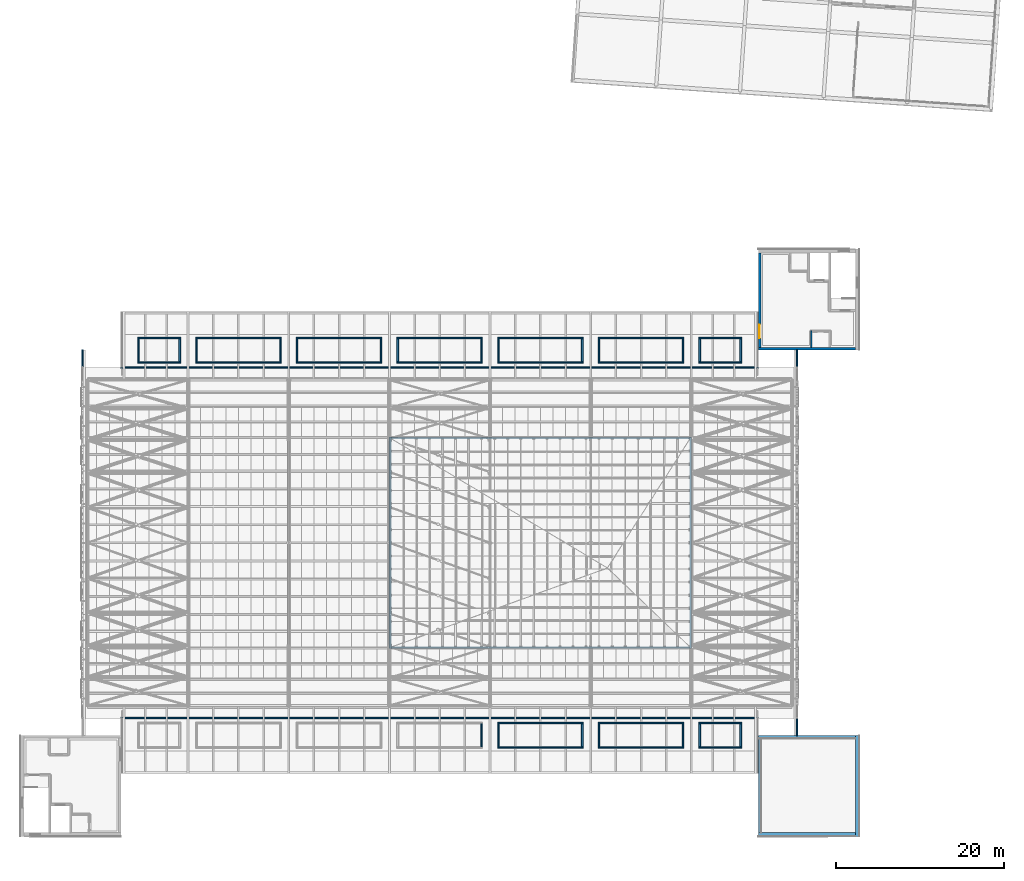
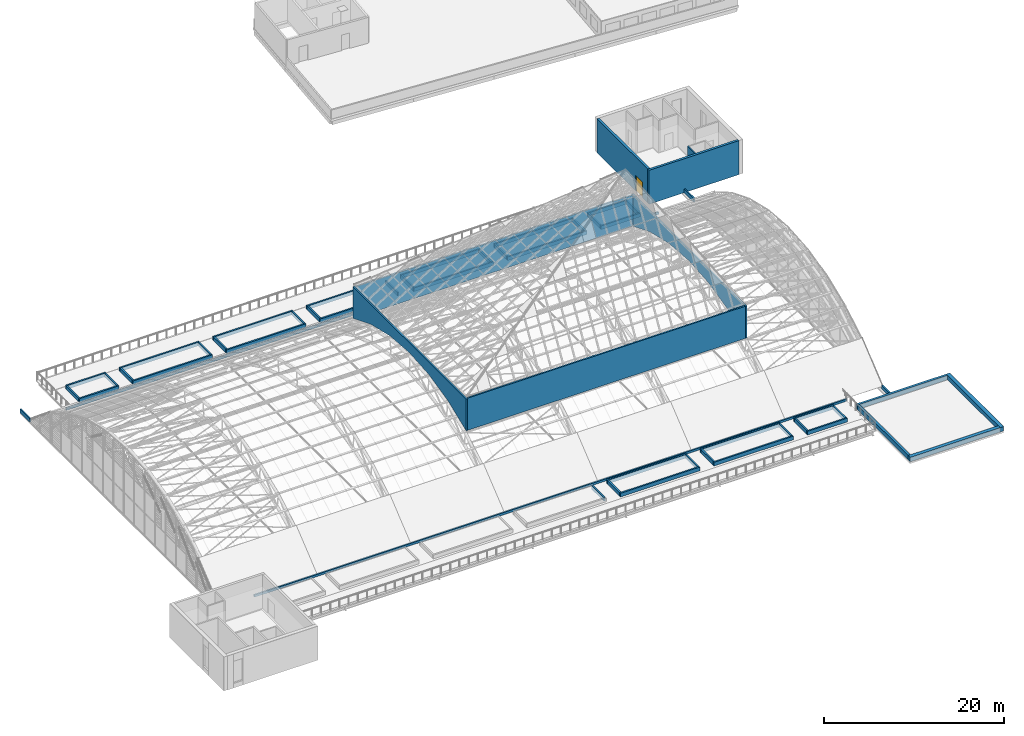
# One storey, part 82 of 110: 57 walls, 1 door, 1 opening.
"""IFC4 building model written with IfcOpenShell, lengths in metres."""

import ifcopenshell
import ifcopenshell.guid

model = None  # the IFC model being written
_history = None  # IfcOwnerHistory: only IFC2X3 demands one
_inside = {}  # id of a spatial element -> (the spatial element, [elements in it])
_under = {}  # id of a project, library or spatial element -> (it, [spatial elements below it])
_declared = {}  # id of a project -> (the project, [libraries it declares])
_typed = {}  # id of a type object -> (the type object, [elements of that type])
_made_of = {}  # id of a material, layer set ... -> (it, [elements and type objects made of it])


def new_model(schema):
    """Start an empty IFC model of exactly this schema.

    Asked for "IFC4X3", IfcOpenShell would pick the latest addendum, in which some entities
    have other attributes; the version numbers below select the first issue.
    IFC2X3 requires an IfcOwnerHistory on every rooted entity: one is made here for all.
    """
    global model, _history
    if schema == "IFC4X3":
        model = ifcopenshell.file(schema_version=(4, 3, 0, 0))
    else:
        model = ifcopenshell.file(schema=schema)
    _inside.clear()
    _under.clear()
    _declared.clear()
    _typed.clear()
    _made_of.clear()
    _history = None
    if model.schema == "IFC2X3":
        org = make("IfcOrganization", Name="unknown")
        user = make(
            "IfcPersonAndOrganization",
            ThePerson=make("IfcPerson", FamilyName="unknown"),
            TheOrganization=org,
        )
        app = make(
            "IfcApplication",
            ApplicationDeveloper=org,
            Version="unknown",
            ApplicationFullName="unknown",
            ApplicationIdentifier="unknown",
        )
        _history = make(
            "IfcOwnerHistory",
            OwningUser=user,
            OwningApplication=app,
            ChangeAction="ADDED",
            CreationDate=0,
        )
    return model


def make(cls, **values):
    """One entity of the class cls with the attributes given. An attribute that is None is left unset."""
    return model.create_entity(
        cls, **{name: value for name, value in values.items() if value is not None}
    )


def rooted(cls, **values):
    """An entity with a GlobalId (a new one), such as an element, a storey or a relation."""
    return make(cls, GlobalId=ifcopenshell.guid.new(), OwnerHistory=_history, **values)


def si_unit(unit_type, name, prefix=None):
    """IfcSIUnit, for example si_unit("LENGTHUNIT", "METRE", prefix="MILLI")."""
    return make("IfcSIUnit", UnitType=unit_type, Prefix=prefix, Name=name)


def assignment(units):
    """IfcUnitAssignment: the units of a project."""
    return None if units is None else make("IfcUnitAssignment", Units=units)


def point(xyz):
    """IfcCartesianPoint."""
    return None if xyz is None else make("IfcCartesianPoint", Coordinates=xyz)


def direction(xyz):
    """IfcDirection."""
    return None if xyz is None else make("IfcDirection", DirectionRatios=xyz)


def frame(location, z_axis=None, x_axis=None):
    """IfcAxis2Placement3D, a coordinate frame: its origin and axes. An axis left out is left unset."""
    return make(
        "IfcAxis2Placement3D",
        Location=point(location),
        Axis=direction(z_axis),
        RefDirection=direction(x_axis),
    )


def frame_2d(location, x_axis=None):
    """IfcAxis2Placement2D, a coordinate frame in the plane: its origin and x axis."""
    return make(
        "IfcAxis2Placement2D", Location=point(location), RefDirection=direction(x_axis)
    )


def origin():
    """The frame at (0, 0, 0) with its axes left unset."""
    return frame((0.0, 0.0, 0.0))


def place(relative_to, where):
    """IfcLocalPlacement: puts the frame where relative to a parent placement (None: the world)."""
    return make(
        "IfcLocalPlacement", PlacementRelTo=relative_to, RelativePlacement=where
    )


def context(
    kind, dimensions, precision=None, world=None, true_north=None, identifier=None
):
    """IfcGeometricRepresentationContext, for example the 3D "Model" context."""
    return make(
        "IfcGeometricRepresentationContext",
        ContextIdentifier=identifier,
        ContextType=kind,
        CoordinateSpaceDimension=dimensions,
        Precision=precision,
        WorldCoordinateSystem=world,
        TrueNorth=true_north,
    )


def subcontext(parent, identifier, kind, view, scale=None):
    """IfcGeometricRepresentationSubContext, for example "Body" below "Model"."""
    return make(
        "IfcGeometricRepresentationSubContext",
        ContextIdentifier=identifier,
        ContextType=kind,
        ParentContext=parent,
        TargetScale=scale,
        TargetView=view,
    )


def project(units=None, contexts=None):
    """IfcProject with its units and contexts."""
    return rooted(
        "IfcProject",
        Name="project",
        RepresentationContexts=contexts,
        UnitsInContext=assignment(units),
    )


def spatial(cls, under=None, at=None, **own):
    """A site, building, storey or space (cls), placed at a placement, below another one or the project."""
    s = rooted(cls, ObjectPlacement=at, **own)
    if under is not None:
        _under.setdefault(under.id(), (under, []))[1].append(s)
    return s


def polyline(points):
    """IfcPolyline through the points."""
    return make("IfcPolyline", Points=[point(p) for p in points])


def profile(cls, at=None, kind="AREA", **sizes):
    """A parametric profile (cls). Its sizes go by their IFC names, for example OverallWidth=200.0."""
    return make(cls, ProfileType=kind, Position=at, **sizes)


def rectangle(**sizes):
    """IfcRectangleProfileDef."""
    return profile("IfcRectangleProfileDef", **sizes)


def outline(outer, holes=None, kind="AREA"):
    """IfcArbitraryClosedProfileDef: a profile drawn as a closed curve; with holes, ...WithVoids."""
    if holes is None:
        return make("IfcArbitraryClosedProfileDef", ProfileType=kind, OuterCurve=outer)
    return make(
        "IfcArbitraryProfileDefWithVoids",
        ProfileType=kind,
        OuterCurve=outer,
        InnerCurves=holes,
    )


def extrude(swept, where, along, depth):
    """IfcExtrudedAreaSolid: the profile swept, set in the frame where, extruded along a direction by depth."""
    return make(
        "IfcExtrudedAreaSolid",
        SweptArea=swept,
        Position=where,
        ExtrudedDirection=direction(along),
        Depth=depth,
    )


def shape(context_of_items, identifier, shape_type, items):
    """IfcShapeRepresentation: the items that make up one representation, for example the "Body"."""
    return make(
        "IfcShapeRepresentation",
        ContextOfItems=context_of_items,
        RepresentationIdentifier=identifier,
        RepresentationType=shape_type,
        Items=items,
    )


def material(Name=None, Category=None):
    """IfcMaterial."""
    return make("IfcMaterial", Name=Name, Category=Category)


def layer(
    of_material, thickness, ventilated=None, Name=None, Category=None, Priority=None
):
    """IfcMaterialLayer: one layer of a wall or slab, of a material (None: an air gap)."""
    return make(
        "IfcMaterialLayer",
        Material=of_material,
        LayerThickness=thickness,
        IsVentilated=ventilated,
        Name=Name,
        Category=Category,
        Priority=Priority,
    )


def layer_set(layers, Name=None):
    """IfcMaterialLayerSet."""
    return make("IfcMaterialLayerSet", MaterialLayers=layers, LayerSetName=Name)


def made_of(thing, what):
    """Note that an element or type object is made of a material, layer set ...; save() writes the relation."""
    if what is not None:
        _made_of.setdefault(what.id(), (what, []))[1].append(thing)
    return thing


def type_object(cls, material=None, **own):
    """A type object (cls), such as IfcWallType, which elements share."""
    return made_of(rooted(cls, **own), material)


def element(
    cls,
    number,
    at=None,
    inside=None,
    cuts=None,
    type_object=None,
    material=None,
    context=None,
    identifier="Body",
    shape_type=None,
    held_by="IfcProductDefinitionShape",
    body=None,
    shapes=None,
    **own,
):
    """One element of the class cls, such as IfcWall. Its Tag is "e" and its number.

    at: its placement. inside: the storey or other place that contains it. cuts: it is an
    opening in that element (IfcRelVoidsElement). A single representation is given by context,
    identifier, shape_type and body (its items); several are given by shapes. held_by: the class
    of the entity that holds the representations. save() writes the other relations.
    """
    e = rooted(cls, Tag="e%d" % number, ObjectPlacement=at, **own)
    if body is not None:
        shapes = [shape(context, identifier, shape_type, body)]
    if shapes is not None:
        e.Representation = make(held_by, Representations=shapes)
    if inside is not None:
        _inside.setdefault(inside.id(), (inside, []))[1].append(e)
    if cuts is not None:
        rooted(
            "IfcRelVoidsElement", RelatingBuildingElement=cuts, RelatedOpeningElement=e
        )
    if type_object is not None:
        _typed.setdefault(type_object.id(), (type_object, []))[1].append(e)
    return made_of(e, material)


def fill(opening, filler):
    """IfcRelFillsElement: the door or window that sits in an opening."""
    return rooted(
        "IfcRelFillsElement",
        RelatingOpeningElement=opening,
        RelatedBuildingElement=filler,
    )


def aggregate(whole, parts):
    """IfcRelAggregates: a whole, such as a stair, and the parts it consists of."""
    return rooted("IfcRelAggregates", RelatingObject=whole, RelatedObjects=parts)


def save(model, path):
    """Write the relations noted so far, then the file.

    IfcRelAggregates (storeys below a building ...), IfcRelContainedInSpatialStructure (elements
    in a storey), IfcRelDefinesByType, IfcRelAssociatesMaterial and IfcRelDeclares: one each for
    every whole, place, type object, material and project.
    """
    for whole, parts in _under.values():
        aggregate(whole, parts)
    for where, things in _inside.values():
        rooted(
            "IfcRelContainedInSpatialStructure",
            RelatedElements=things,
            RelatingStructure=where,
        )
    for kind, things in _typed.values():
        rooted("IfcRelDefinesByType", RelatedObjects=things, RelatingType=kind)
    for what, things in _made_of.values():
        rooted("IfcRelAssociatesMaterial", RelatedObjects=things, RelatingMaterial=what)
    for by, libraries in _declared.values():
        rooted("IfcRelDeclares", RelatingContext=by, RelatedDefinitions=libraries)
    model.write(path)


model = new_model("IFC4")

# Units and contexts
model_context = context("Model", 3, precision=1e-05, world=origin(), true_north=direction((0.0, 1.0)))
body_context = subcontext(model_context, "Body", "Model", "MODEL_VIEW")
ifc_project = project(units=[si_unit("LENGTHUNIT", "METRE"), si_unit("AREAUNIT", "SQUARE_METRE"), si_unit("VOLUMEUNIT", "CUBIC_METRE"), si_unit("PLANEANGLEUNIT", "RADIAN"), si_unit("MASSUNIT", "GRAM", prefix="KILO")], contexts=[model_context])

# Site, building, storey
site_placement = place(None, origin())
site = spatial("IfcSite", under=ifc_project, at=site_placement, CompositionType="ELEMENT")
building_placement = place(site_placement, origin())
building = spatial("IfcBuilding", under=site, at=building_placement, Name="Windward Yard Aquatics Centre", CompositionType="ELEMENT")
storey_placement = place(building_placement, frame((0.0, 0.0, 22.60009765625)))
storey = spatial("IfcBuildingStorey", under=building, at=storey_placement, Name="L05", CompositionType="ELEMENT", Elevation=22.60009765625)

# Walls
ifc_material_1 = material(Name="Blockwork 150 mm", Category="masonry")
ifc_layer_1 = layer(ifc_material_1, 0.14990234375)
ifc_layer_set_1 = layer_set([ifc_layer_1], Name="H Partition Blockwork 150")
wall_type_1 = type_object("IfcWallType", Name="H Partition Blockwork 150", PredefinedType="PARTITIONING", material=ifc_layer_set_1)
wall_1_placement = place(storey_placement, frame((146.300048828125, 86.27490234375, 0.0), z_axis=(0.0, 0.0, 1.0), x_axis=(0.0, -1.0, 0.0)))
element("IfcWall", 1, at=wall_1_placement, inside=storey, type_object=wall_type_1, Name="L05 R2E riser wall NE", PredefinedType="PARTITIONING", context=body_context, shape_type="SweptSolid", body=[
    extrude(rectangle(XDim=1.974853515625, YDim=0.14990234375, at=frame_2d((0.9873046875, 0.0))), origin(), (0.0, 0.0, 1.0), 4.349853515625),
])
ifc_material_2 = material(Name="Concrete C35/45", Category="concrete")
ifc_layer_2 = layer(ifc_material_2, 0.300048828125)
ifc_layer_set_2 = layer_set([ifc_layer_2], Name="H core parapet 300 C35/45")
wall_type_2 = type_object("IfcWallType", Name="H core parapet 300 C35/45", PredefinedType="PARAPET", material=ifc_layer_set_2)
wall_2_placement = place(storey_placement, frame((151.77490234375, 26.0, 0.25), z_axis=(0.0, 0.0, 1.0), x_axis=(0.0, 1.0, 0.0)))
element("IfcWall", 2, at=wall_2_placement, inside=storey, type_object=wall_type_2, Name="H.CP.SE.E", PredefinedType="PARAPET", context=body_context, shape_type="SweptSolid", body=[
    extrude(rectangle(XDim=12.0, YDim=0.449951171875, at=frame_2d((6.0, 0.0))), origin(), (0.0, 0.0, 1.0), 0.599853515625),
])
wall_3_placement = place(storey_placement, frame((151.550048828125, 26.22509765625, 0.25), z_axis=(0.0, 0.0, 1.0), x_axis=(-1.0, 0.0, 0.0)))
element("IfcWall", 3, at=wall_3_placement, inside=storey, type_object=wall_type_2, Name="H.CP.SE.S", PredefinedType="PARAPET", context=body_context, shape_type="SweptSolid", body=[
    extrude(rectangle(XDim=11.550048828125, YDim=0.449951171875, at=frame_2d((5.77490234375, 0.0))), origin(), (0.0, 0.0, 1.0), 0.599853515625),
])
wall_4_placement = place(storey_placement, frame((140.14990234375, 26.449951171875, 0.25), z_axis=(0.0, 0.0, 1.0), x_axis=(0.0, 1.0, 0.0)))
element("IfcWall", 4, at=wall_4_placement, inside=storey, type_object=wall_type_2, Name="H.CP.SE.W", PredefinedType="PARAPET", context=body_context, shape_type="SweptSolid", body=[
    extrude(rectangle(XDim=11.25, YDim=0.300048828125, at=frame_2d((5.625, 0.0))), origin(), (0.0, 0.0, 1.0), 0.599853515625),
])
wall_5_placement = place(storey_placement, frame((151.550048828125, 37.85009765625, 0.25), z_axis=(0.0, 0.0, 1.0), x_axis=(-1.0, 0.0, 0.0)))
element("IfcWall", 5, at=wall_5_placement, inside=storey, type_object=wall_type_2, Name="H.CP.SE.N", PredefinedType="PARAPET", context=body_context, shape_type="SweptSolid", body=[
    extrude(rectangle(XDim=11.550048828125, YDim=0.300048828125, at=frame_2d((5.77490234375, 0.0))), origin(), (0.0, 0.0, 1.0), 0.599853515625),
])
ifc_layer_3 = layer(ifc_material_2, 0.179931640625)
ifc_layer_set_3 = layer_set([ifc_layer_3], Name="H gable parapet wall 180 C35/45")
wall_type_3 = type_object("IfcWallType", Name="H gable parapet wall 180 C35/45", PredefinedType="PARAPET", material=ifc_layer_set_3)
for number, where, z_axis, x_axis, name in (
    (6, (59.409912109375, 81.873046875, 0.0), (0.0, 0.0, 1.0), (0.0, 1.0, 0.0), "Gable parapet WB"),
    (7, (144.590087890625, 38.0, 0.0), (0.0, 0.0, 1.0), (0.0, 1.0, 0.0), "Gable parapet EA"),
    (8, (144.590087890625, 81.873046875, 0.0), (0.0, 0.0, 1.0), (0.0, 1.0, 0.0), "Gable parapet EB"),
):
    element("IfcWall", number, at=place(storey_placement, frame(where, z_axis=z_axis, x_axis=x_axis)), inside=storey, type_object=wall_type_3, Name=name, PredefinedType="PARAPET", context=body_context, shape_type="SweptSolid", body=[
        extrude(rectangle(XDim=2.126953125, YDim=0.179931640625, at=frame_2d((1.0634765625, 0.0))), origin(), (0.0, 0.0, 1.0), 0.5),
    ])
ifc_layer_4 = layer(ifc_material_2, 0.199951171875)
ifc_layer_set_4 = layer_set([ifc_layer_4], Name="H planter kerb wall 200 C35/45")
wall_type_4 = type_object("IfcWallType", Name="H planter kerb wall 200 C35/45", PredefinedType="PARAPET", material=ifc_layer_set_4)
wall_6_placement = place(storey_placement, frame((107.0, 36.699951171875, 0.0), z_axis=(0.0, 0.0, 1.0), x_axis=(0.0, 1.0, 0.0)))
element("IfcWall", 9, at=wall_6_placement, inside=storey, type_object=wall_type_4, Name="Planting bed T2 S4 kerb E", PredefinedType="PARAPET", context=body_context, shape_type="SweptSolid", body=[
    extrude(rectangle(XDim=2.699951171875, YDim=0.199951171875, at=frame_2d((1.35009765625, 0.0))), origin(), (0.0, 0.0, 1.0), 0.5),
])
for number, where, z_axis, x_axis, name in (
    (10, (108.89990234375, 36.60009765625, 0.0), (0.0, 0.0, 1.0), (1.0, 0.0, 0.0), "Planting bed T2 S5 kerb S"),
    (11, (108.89990234375, 39.5, 0.0), (0.0, 0.0, 1.0), (1.0, 0.0, 0.0), "Planting bed T2 S5 kerb N"),
):
    element("IfcWall", number, at=place(storey_placement, frame(where, z_axis=z_axis, x_axis=x_axis)), inside=storey, type_object=wall_type_4, Name=name, PredefinedType="PARAPET", context=body_context, shape_type="SweptSolid", body=[
        extrude(rectangle(XDim=10.2001953125, YDim=0.199951171875, at=frame_2d((5.10009765625, 0.0))), origin(), (0.0, 0.0, 1.0), 0.5),
    ])
for number, where, z_axis, x_axis, name in (
    (12, (109.0, 36.699951171875, 0.0), (0.0, 0.0, 1.0), (0.0, 1.0, 0.0), "Planting bed T2 S5 kerb W"),
    (13, (119.0, 36.699951171875, 0.0), (0.0, 0.0, 1.0), (0.0, 1.0, 0.0), "Planting bed T2 S5 kerb E"),
):
    element("IfcWall", number, at=place(storey_placement, frame(where, z_axis=z_axis, x_axis=x_axis)), inside=storey, type_object=wall_type_4, Name=name, PredefinedType="PARAPET", context=body_context, shape_type="SweptSolid", body=[
        extrude(rectangle(XDim=2.699951171875, YDim=0.199951171875, at=frame_2d((1.35009765625, 0.0))), origin(), (0.0, 0.0, 1.0), 0.5),
    ])
for number, where, z_axis, x_axis, name in (
    (14, (120.89990234375, 36.60009765625, 0.0), (0.0, 0.0, 1.0), (1.0, 0.0, 0.0), "Planting bed T2 S6 kerb S"),
    (15, (120.89990234375, 39.5, 0.0), (0.0, 0.0, 1.0), (1.0, 0.0, 0.0), "Planting bed T2 S6 kerb N"),
):
    element("IfcWall", number, at=place(storey_placement, frame(where, z_axis=z_axis, x_axis=x_axis)), inside=storey, type_object=wall_type_4, Name=name, PredefinedType="PARAPET", context=body_context, shape_type="SweptSolid", body=[
        extrude(rectangle(XDim=10.2001953125, YDim=0.199951171875, at=frame_2d((5.10009765625, 0.0))), origin(), (0.0, 0.0, 1.0), 0.5),
    ])
for number, where, z_axis, x_axis, name in (
    (16, (121.0, 36.699951171875, 0.0), (0.0, 0.0, 1.0), (0.0, 1.0, 0.0), "Planting bed T2 S6 kerb W"),
    (17, (131.0, 36.699951171875, 0.0), (0.0, 0.0, 1.0), (0.0, 1.0, 0.0), "Planting bed T2 S6 kerb E"),
):
    element("IfcWall", number, at=place(storey_placement, frame(where, z_axis=z_axis, x_axis=x_axis)), inside=storey, type_object=wall_type_4, Name=name, PredefinedType="PARAPET", context=body_context, shape_type="SweptSolid", body=[
        extrude(rectangle(XDim=2.699951171875, YDim=0.199951171875, at=frame_2d((1.35009765625, 0.0))), origin(), (0.0, 0.0, 1.0), 0.5),
    ])
for number, where, z_axis, x_axis, name in (
    (18, (132.89990234375, 36.60009765625, 0.0), (0.0, 0.0, 1.0), (1.0, 0.0, 0.0), "Planting bed T2 S7 kerb S"),
    (19, (132.89990234375, 39.5, 0.0), (0.0, 0.0, 1.0), (1.0, 0.0, 0.0), "Planting bed T2 S7 kerb N"),
):
    element("IfcWall", number, at=place(storey_placement, frame(where, z_axis=z_axis, x_axis=x_axis)), inside=storey, type_object=wall_type_4, Name=name, PredefinedType="PARAPET", context=body_context, shape_type="SweptSolid", body=[
        extrude(rectangle(XDim=5.10009765625, YDim=0.199951171875, at=frame_2d((2.550048828125, 0.0))), origin(), (0.0, 0.0, 1.0), 0.5),
    ])
for number, where, z_axis, x_axis, name in (
    (20, (133.0, 36.699951171875, 0.0), (0.0, 0.0, 1.0), (0.0, 1.0, 0.0), "Planting bed T2 S7 kerb W"),
    (21, (137.89990234375, 36.699951171875, 0.0), (0.0, 0.0, 1.0), (0.0, 1.0, 0.0), "Planting bed T2 S7 kerb E"),
):
    element("IfcWall", number, at=place(storey_placement, frame(where, z_axis=z_axis, x_axis=x_axis)), inside=storey, type_object=wall_type_4, Name=name, PredefinedType="PARAPET", context=body_context, shape_type="SweptSolid", body=[
        extrude(rectangle(XDim=2.699951171875, YDim=0.199951171875, at=frame_2d((1.35009765625, 0.0))), origin(), (0.0, 0.0, 1.0), 0.5),
    ])
for number, where, z_axis, x_axis, name in (
    (22, (66.0, 85.39990234375, 0.0), (0.0, 0.0, 1.0), (1.0, 0.0, 0.0), "Planting bed T2 N1 kerb S"),
    (23, (66.0, 82.5, 0.0), (0.0, 0.0, 1.0), (1.0, 0.0, 0.0), "Planting bed T2 N1 kerb N"),
):
    element("IfcWall", number, at=place(storey_placement, frame(where, z_axis=z_axis, x_axis=x_axis)), inside=storey, type_object=wall_type_4, Name=name, PredefinedType="PARAPET", context=body_context, shape_type="SweptSolid", body=[
        extrude(rectangle(XDim=5.10009765625, YDim=0.199951171875, at=frame_2d((2.550048828125, 0.0))), origin(), (0.0, 0.0, 1.0), 0.5),
    ])
for number, where, z_axis, x_axis, name in (
    (24, (66.10009765625, 85.300048828125, 0.0), (0.0, 0.0, 1.0), (0.0, -1.0, 0.0), "Planting bed T2 N1 kerb W"),
    (25, (71.0, 85.300048828125, 0.0), (0.0, 0.0, 1.0), (0.0, -1.0, 0.0), "Planting bed T2 N1 kerb E"),
):
    element("IfcWall", number, at=place(storey_placement, frame(where, z_axis=z_axis, x_axis=x_axis)), inside=storey, type_object=wall_type_4, Name=name, PredefinedType="PARAPET", context=body_context, shape_type="SweptSolid", body=[
        extrude(rectangle(XDim=2.699951171875, YDim=0.199951171875, at=frame_2d((1.35009765625, 0.0))), origin(), (0.0, 0.0, 1.0), 0.5),
    ])
for number, where, z_axis, x_axis, name in (
    (26, (72.89990234375, 85.39990234375, 0.0), (0.0, 0.0, 1.0), (1.0, 0.0, 0.0), "Planting bed T2 N2 kerb S"),
    (27, (72.89990234375, 82.5, 0.0), (0.0, 0.0, 1.0), (1.0, 0.0, 0.0), "Planting bed T2 N2 kerb N"),
):
    element("IfcWall", number, at=place(storey_placement, frame(where, z_axis=z_axis, x_axis=x_axis)), inside=storey, type_object=wall_type_4, Name=name, PredefinedType="PARAPET", context=body_context, shape_type="SweptSolid", body=[
        extrude(rectangle(XDim=10.2001953125, YDim=0.199951171875, at=frame_2d((5.10009765625, 0.0))), origin(), (0.0, 0.0, 1.0), 0.5),
    ])
for number, where, z_axis, x_axis, name in (
    (28, (73.0, 85.300048828125, 0.0), (0.0, 0.0, 1.0), (0.0, -1.0, 0.0), "Planting bed T2 N2 kerb W"),
    (29, (83.0, 85.300048828125, 0.0), (0.0, 0.0, 1.0), (0.0, -1.0, 0.0), "Planting bed T2 N2 kerb E"),
):
    element("IfcWall", number, at=place(storey_placement, frame(where, z_axis=z_axis, x_axis=x_axis)), inside=storey, type_object=wall_type_4, Name=name, PredefinedType="PARAPET", context=body_context, shape_type="SweptSolid", body=[
        extrude(rectangle(XDim=2.699951171875, YDim=0.199951171875, at=frame_2d((1.35009765625, 0.0))), origin(), (0.0, 0.0, 1.0), 0.5),
    ])
for number, where, z_axis, x_axis, name in (
    (30, (84.89990234375, 85.39990234375, 0.0), (0.0, 0.0, 1.0), (1.0, 0.0, 0.0), "Planting bed T2 N3 kerb S"),
    (31, (84.89990234375, 82.5, 0.0), (0.0, 0.0, 1.0), (1.0, 0.0, 0.0), "Planting bed T2 N3 kerb N"),
):
    element("IfcWall", number, at=place(storey_placement, frame(where, z_axis=z_axis, x_axis=x_axis)), inside=storey, type_object=wall_type_4, Name=name, PredefinedType="PARAPET", context=body_context, shape_type="SweptSolid", body=[
        extrude(rectangle(XDim=10.2001953125, YDim=0.199951171875, at=frame_2d((5.10009765625, 0.0))), origin(), (0.0, 0.0, 1.0), 0.5),
    ])
for number, where, z_axis, x_axis, name in (
    (32, (85.0, 85.300048828125, 0.0), (0.0, 0.0, 1.0), (0.0, -1.0, 0.0), "Planting bed T2 N3 kerb W"),
    (33, (95.0, 85.300048828125, 0.0), (0.0, 0.0, 1.0), (0.0, -1.0, 0.0), "Planting bed T2 N3 kerb E"),
):
    element("IfcWall", number, at=place(storey_placement, frame(where, z_axis=z_axis, x_axis=x_axis)), inside=storey, type_object=wall_type_4, Name=name, PredefinedType="PARAPET", context=body_context, shape_type="SweptSolid", body=[
        extrude(rectangle(XDim=2.699951171875, YDim=0.199951171875, at=frame_2d((1.35009765625, 0.0))), origin(), (0.0, 0.0, 1.0), 0.5),
    ])
for number, where, z_axis, x_axis, name in (
    (34, (96.89990234375, 85.39990234375, 0.0), (0.0, 0.0, 1.0), (1.0, 0.0, 0.0), "Planting bed T2 N4 kerb S"),
    (35, (96.89990234375, 82.5, 0.0), (0.0, 0.0, 1.0), (1.0, 0.0, 0.0), "Planting bed T2 N4 kerb N"),
):
    element("IfcWall", number, at=place(storey_placement, frame(where, z_axis=z_axis, x_axis=x_axis)), inside=storey, type_object=wall_type_4, Name=name, PredefinedType="PARAPET", context=body_context, shape_type="SweptSolid", body=[
        extrude(rectangle(XDim=10.2001953125, YDim=0.199951171875, at=frame_2d((5.10009765625, 0.0))), origin(), (0.0, 0.0, 1.0), 0.5),
    ])
for number, where, z_axis, x_axis, name in (
    (36, (97.0, 85.300048828125, 0.0), (0.0, 0.0, 1.0), (0.0, -1.0, 0.0), "Planting bed T2 N4 kerb W"),
    (37, (107.0, 85.300048828125, 0.0), (0.0, 0.0, 1.0), (0.0, -1.0, 0.0), "Planting bed T2 N4 kerb E"),
):
    element("IfcWall", number, at=place(storey_placement, frame(where, z_axis=z_axis, x_axis=x_axis)), inside=storey, type_object=wall_type_4, Name=name, PredefinedType="PARAPET", context=body_context, shape_type="SweptSolid", body=[
        extrude(rectangle(XDim=2.699951171875, YDim=0.199951171875, at=frame_2d((1.35009765625, 0.0))), origin(), (0.0, 0.0, 1.0), 0.5),
    ])
for number, where, z_axis, x_axis, name in (
    (38, (108.89990234375, 85.39990234375, 0.0), (0.0, 0.0, 1.0), (1.0, 0.0, 0.0), "Planting bed T2 N5 kerb S"),
    (39, (108.89990234375, 82.5, 0.0), (0.0, 0.0, 1.0), (1.0, 0.0, 0.0), "Planting bed T2 N5 kerb N"),
):
    element("IfcWall", number, at=place(storey_placement, frame(where, z_axis=z_axis, x_axis=x_axis)), inside=storey, type_object=wall_type_4, Name=name, PredefinedType="PARAPET", context=body_context, shape_type="SweptSolid", body=[
        extrude(rectangle(XDim=10.2001953125, YDim=0.199951171875, at=frame_2d((5.10009765625, 0.0))), origin(), (0.0, 0.0, 1.0), 0.5),
    ])
for number, where, z_axis, x_axis, name in (
    (40, (109.0, 85.300048828125, 0.0), (0.0, 0.0, 1.0), (0.0, -1.0, 0.0), "Planting bed T2 N5 kerb W"),
    (41, (119.0, 85.300048828125, 0.0), (0.0, 0.0, 1.0), (0.0, -1.0, 0.0), "Planting bed T2 N5 kerb E"),
):
    element("IfcWall", number, at=place(storey_placement, frame(where, z_axis=z_axis, x_axis=x_axis)), inside=storey, type_object=wall_type_4, Name=name, PredefinedType="PARAPET", context=body_context, shape_type="SweptSolid", body=[
        extrude(rectangle(XDim=2.699951171875, YDim=0.199951171875, at=frame_2d((1.35009765625, 0.0))), origin(), (0.0, 0.0, 1.0), 0.5),
    ])
for number, where, z_axis, x_axis, name in (
    (42, (120.89990234375, 85.39990234375, 0.0), (0.0, 0.0, 1.0), (1.0, 0.0, 0.0), "Planting bed T2 N6 kerb S"),
    (43, (120.89990234375, 82.5, 0.0), (0.0, 0.0, 1.0), (1.0, 0.0, 0.0), "Planting bed T2 N6 kerb N"),
):
    element("IfcWall", number, at=place(storey_placement, frame(where, z_axis=z_axis, x_axis=x_axis)), inside=storey, type_object=wall_type_4, Name=name, PredefinedType="PARAPET", context=body_context, shape_type="SweptSolid", body=[
        extrude(rectangle(XDim=10.2001953125, YDim=0.199951171875, at=frame_2d((5.10009765625, 0.0))), origin(), (0.0, 0.0, 1.0), 0.5),
    ])
for number, where, z_axis, x_axis, name in (
    (44, (121.0, 85.300048828125, 0.0), (0.0, 0.0, 1.0), (0.0, -1.0, 0.0), "Planting bed T2 N6 kerb W"),
    (45, (131.0, 85.300048828125, 0.0), (0.0, 0.0, 1.0), (0.0, -1.0, 0.0), "Planting bed T2 N6 kerb E"),
):
    element("IfcWall", number, at=place(storey_placement, frame(where, z_axis=z_axis, x_axis=x_axis)), inside=storey, type_object=wall_type_4, Name=name, PredefinedType="PARAPET", context=body_context, shape_type="SweptSolid", body=[
        extrude(rectangle(XDim=2.699951171875, YDim=0.199951171875, at=frame_2d((1.35009765625, 0.0))), origin(), (0.0, 0.0, 1.0), 0.5),
    ])
for number, where, z_axis, x_axis, name in (
    (46, (132.89990234375, 85.39990234375, 0.0), (0.0, 0.0, 1.0), (1.0, 0.0, 0.0), "Planting bed T2 N7 kerb S"),
    (47, (132.89990234375, 82.5, 0.0), (0.0, 0.0, 1.0), (1.0, 0.0, 0.0), "Planting bed T2 N7 kerb N"),
):
    element("IfcWall", number, at=place(storey_placement, frame(where, z_axis=z_axis, x_axis=x_axis)), inside=storey, type_object=wall_type_4, Name=name, PredefinedType="PARAPET", context=body_context, shape_type="SweptSolid", body=[
        extrude(rectangle(XDim=5.10009765625, YDim=0.199951171875, at=frame_2d((2.550048828125, 0.0))), origin(), (0.0, 0.0, 1.0), 0.5),
    ])
for number, where, z_axis, x_axis, name in (
    (48, (133.0, 85.300048828125, 0.0), (0.0, 0.0, 1.0), (0.0, -1.0, 0.0), "Planting bed T2 N7 kerb W"),
    (49, (137.89990234375, 85.300048828125, 0.0), (0.0, 0.0, 1.0), (0.0, -1.0, 0.0), "Planting bed T2 N7 kerb E"),
):
    element("IfcWall", number, at=place(storey_placement, frame(where, z_axis=z_axis, x_axis=x_axis)), inside=storey, type_object=wall_type_4, Name=name, PredefinedType="PARAPET", context=body_context, shape_type="SweptSolid", body=[
        extrude(rectangle(XDim=2.699951171875, YDim=0.199951171875, at=frame_2d((1.35009765625, 0.0))), origin(), (0.0, 0.0, 1.0), 0.5),
    ])

# Wall, opening, door
ifc_layer_5 = layer(ifc_material_2, 0.300048828125)
ifc_layer_set_5 = layer_set([ifc_layer_5], Name="H rear wall 300 C35/45")
wall_type_5 = type_object("IfcWallType", Name="H rear wall 300 C35/45", PredefinedType="SOLIDWALL", material=ifc_layer_set_5)
wall_7_placement = place(storey_placement, frame((140.14990234375, 95.550048828125, 0.0), z_axis=(0.0, 0.0, 1.0), x_axis=(0.0, -1.0, 0.0)))
wall_7 = element("IfcWall", 50, at=wall_7_placement, inside=storey, type_object=wall_type_5, Name="H.CW.NE.W.L05", PredefinedType="SOLIDWALL", context=body_context, shape_type="SweptSolid", body=[
    extrude(rectangle(XDim=11.25, YDim=0.300048828125, at=frame_2d((5.625, 0.0))), origin(), (0.0, 0.0, 1.0), 4.599853515625),
])
opening_placement = place(wall_7_placement, frame((8.550048828125, 0.0, 0.0)))
opening = element("IfcOpeningElement", 51, at=opening_placement, cuts=wall_7, Name="Opening H5010", PredefinedType="OPENING", context=body_context, shape_type="SweptSolid", body=[
    extrude(rectangle(XDim=1.60009765625, YDim=2.10009765625, at=frame_2d((0.800048828125, 1.050048828125))), frame((0.0, 0.16015625, 0.0), z_axis=(0.0, -1.0, 0.0), x_axis=(1.0, 0.0, 0.0)), (0.0, 0.0, 1.0), 0.320068359375),
])
ifc_material_3 = material(Name="Steel and timber door leaf", Category="steel")
door_type = type_object("IfcDoorType", Name="H Door Double 1600 x 2100 FD60", OperationType="DOUBLE_DOOR_SINGLE_SWING", PredefinedType="DOOR", material=ifc_material_3)
door_placement = place(opening_placement, origin())
door = element("IfcDoor", 52, at=door_placement, inside=storey, type_object=door_type, Name="L05 core NE door to strip", OperationType="DOUBLE_DOOR_SINGLE_SWING", OverallHeight=2.10009765625, OverallWidth=1.60009765625, PredefinedType="DOOR", context=body_context, shape_type="SweptSolid", body=[
    extrude(rectangle(XDim=1.60009765625, YDim=2.10009765625, at=frame_2d((0.800048828125, 1.050048828125))), frame((0.0, 0.02490234375, 0.0), z_axis=(0.0, -1.0, 0.0), x_axis=(1.0, 0.0, 0.0)), (0.0, 0.0, 1.0), 0.050048828125),
])
fill(opening, door)

# Walls
wall_8_placement = place(storey_placement, frame((151.550048828125, 84.14990234375, 0.0), z_axis=(0.0, 0.0, 1.0), x_axis=(-1.0, 0.0, 0.0)))
element("IfcWall", 53, at=wall_8_placement, inside=storey, type_object=wall_type_5, Name="H.CW.NE.S.L05", PredefinedType="SOLIDWALL", context=body_context, shape_type="SweptSolid", body=[
    extrude(rectangle(XDim=11.550048828125, YDim=0.300048828125, at=frame_2d((5.77490234375, 0.0))), origin(), (0.0, 0.0, 1.0), 4.599853515625),
])
ifc_layer_6 = layer(ifc_material_2, 0.199951171875)
ifc_layer_set_6 = layer_set([ifc_layer_6], Name="H roof upstand wall 200 C35/45")
wall_type_6 = type_object("IfcWallType", Name="H roof upstand wall 200 C35/45", PredefinedType="PARAPET", material=ifc_layer_set_6)
for number, where, z_axis, x_axis, name in (
    (54, (64.0, 40.107666015625, 0.0), (0.0, 0.0, 1.0), (1.0, 0.0, 0.0), "Roof skirt upstand S"),
    (55, (64.0, 81.892333984375, 0.0), (0.0, 0.0, 1.0), (1.0, 0.0, 0.0), "Roof skirt upstand N"),
):
    element("IfcWall", number, at=place(storey_placement, frame(where, z_axis=z_axis, x_axis=x_axis)), inside=storey, type_object=wall_type_6, Name=name, PredefinedType="PARAPET", context=body_context, shape_type="SweptSolid", body=[
        extrude(rectangle(XDim=76.0, YDim=0.199951171875, at=frame_2d((38.0, 0.0))), origin(), (0.0, 0.0, 1.0), 0.2998046875),
    ])
wall_9_placement = place(storey_placement, frame((96.0, 26.0, 0.0), z_axis=(1.0, 0.0, 0.0), x_axis=(0.0, 1.0, 0.0)))
element("IfcWall", 56, at=wall_9_placement, inside=storey, type_object=wall_type_6, Name="Lantern upstand W", PredefinedType="PARAPET", context=body_context, shape_type="SweptSolid", body=[
    extrude(outline(polyline([(22.41064453125, 6.2646484375), (26.440185546875, 7.88427734375), (30.669677734375, 8.871337890625), (35.0, 9.202880859375), (39.330322265625, 8.871337890625), (43.559814453125, 7.88427734375), (47.58935546875, 6.2646484375), (47.58935546875, 10.553466796875), (22.41064453125, 10.553466796875), (22.41064453125, 6.2646484375)])), origin(), (0.0, 0.0, 1.0), 0.199951171875),
])
wall_10_placement = place(storey_placement, frame((131.800048828125, 26.0, 0.0), z_axis=(1.0, 0.0, 0.0), x_axis=(0.0, 1.0, 0.0)))
element("IfcWall", 57, at=wall_10_placement, inside=storey, type_object=wall_type_6, Name="Lantern upstand E", PredefinedType="PARAPET", context=body_context, shape_type="SweptSolid", body=[
    extrude(outline(polyline([(22.41064453125, 6.2646484375), (26.440185546875, 7.88427734375), (30.669677734375, 8.871337890625), (35.0, 9.202880859375), (39.330322265625, 8.871337890625), (43.559814453125, 7.88427734375), (47.58935546875, 6.2646484375), (47.58935546875, 10.630126953125), (22.41064453125, 10.630126953125), (22.41064453125, 6.2646484375)])), origin(), (0.0, 0.0, 1.0), 0.199951171875),
])
wall_11_placement = place(storey_placement, frame((96.199951171875, 26.0, 0.0), z_axis=(1.0, 0.0, 0.0), x_axis=(0.0, 1.0, 0.0)))
element("IfcWall", 58, at=wall_11_placement, inside=storey, type_object=wall_type_6, Name="Lantern upstand S", PredefinedType="PARAPET", context=body_context, shape_type="SweptSolid", body=[
    extrude(outline(polyline([(22.41064453125, 6.2646484375), (22.610595703125, 6.34521484375), (22.610595703125, 10.634521484375), (22.41064453125, 10.634521484375), (22.41064453125, 6.2646484375)])), origin(), (0.0, 0.0, 1.0), 35.60009765625),
])
wall_12_placement = place(storey_placement, frame((96.199951171875, 26.0, 0.0), z_axis=(1.0, 0.0, 0.0), x_axis=(0.0, 1.0, 0.0)))
element("IfcWall", 59, at=wall_12_placement, inside=storey, type_object=wall_type_6, Name="Lantern upstand N", PredefinedType="PARAPET", context=body_context, shape_type="SweptSolid", body=[
    extrude(outline(polyline([(47.389404296875, 6.34521484375), (47.58935546875, 6.2646484375), (47.58935546875, 10.58642578125), (47.389404296875, 10.58642578125), (47.389404296875, 6.34521484375)])), origin(), (0.0, 0.0, 1.0), 35.60009765625),
])

save(model, "model.ifc")
